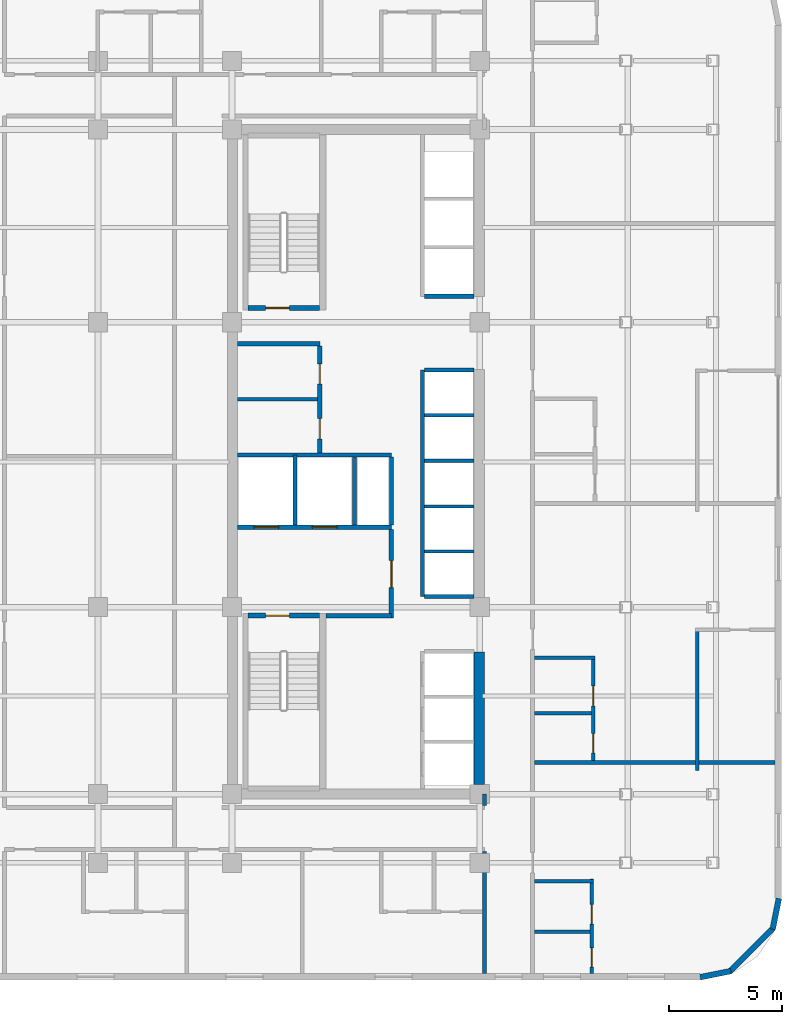
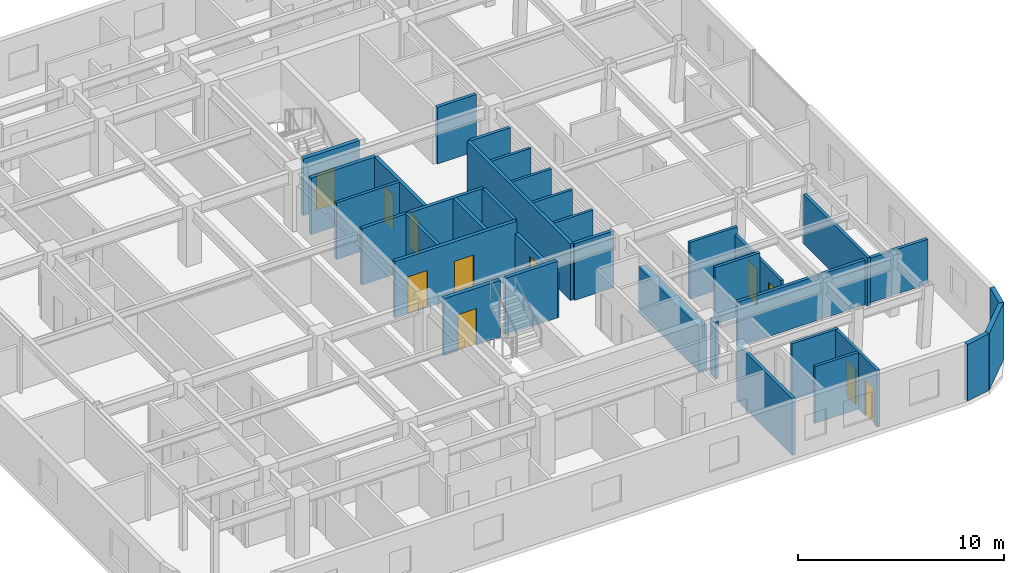
# One storey, part 9 of 13: 34 walls, 11 doors, 11 openings.
"""IFC4 building model written with IfcOpenShell, lengths in metres."""

from ifc_helpers import new_model, si_unit, direction, frame, frame_2d, origin, place, context, subcontext, project, spatial, rectangle, extrude, material, layer, layer_set, type_object, element, fill, save


model = new_model("IFC4")

# Units and contexts
model_context = context("Model", 3, precision=1e-05, world=origin(), true_north=direction((0.0, 1.0)))
body_context = subcontext(model_context, "Body", "Model", "MODEL_VIEW")
ifc_project = project(units=[si_unit("LENGTHUNIT", "METRE"), si_unit("AREAUNIT", "SQUARE_METRE"), si_unit("VOLUMEUNIT", "CUBIC_METRE"), si_unit("PLANEANGLEUNIT", "RADIAN"), si_unit("MASSUNIT", "GRAM", prefix="KILO")], contexts=[model_context])

# Site, building, storey
site_placement = place(None, origin())
site = spatial("IfcSite", under=ifc_project, at=site_placement, CompositionType="ELEMENT")
building_placement = place(site_placement, origin())
building = spatial("IfcBuilding", under=site, at=building_placement, Name="Ochreholt Gables", CompositionType="ELEMENT")
storey_placement = place(building_placement, frame((0.0, 0.0, 49.199951171875)))
storey = spatial("IfcBuildingStorey", under=building, at=storey_placement, Name="L12", CompositionType="ELEMENT", Elevation=49.199951171875)

# Walls
ifc_material_1 = material(Name="Concrete 60 MPa", Category="concrete")
ifc_layer_1 = layer(ifc_material_1, 0.449951171875, Name="Concrete 60 MPa")
ifc_layer_set_1 = layer_set([ifc_layer_1], Name="Concrete 60 MPa")
wall_type_1 = type_object("IfcWallType", Name="WALL-CSW-450", PredefinedType="SHEAR", material=ifc_layer_set_1)
wall_1_placement = place(storey_placement, frame((35.175048828125, 9.675048828125, 0.0), z_axis=(0.0, 0.0, 1.0), x_axis=(0.0, 1.0, 0.0)))
element("IfcWall", 1, at=wall_1_placement, inside=storey, type_object=wall_type_1, Name="L12 Core South-East Shear Wall", PredefinedType="SHEAR", context=body_context, shape_type="SweptSolid", body=[
    extrude(rectangle(XDim=5.875, YDim=0.449951171875, at=frame_2d((2.9375, 0.0))), origin(), (0.0, 0.0, 1.0), 2.6669921875),
])
ifc_material_2 = material(Name="Precast concrete 40 MPa", Category="concrete")
ifc_layer_2 = layer(ifc_material_2, 0.25, Name="Precast concrete 40 MPa")
ifc_layer_set_2 = layer_set([ifc_layer_2], Name="Precast concrete 40 MPa")
wall_type_2 = type_object("IfcWallType", Name="WALL-EXT-CNR", PredefinedType="SOLIDWALL", material=ifc_layer_set_2)
wall_2_placement = place(storey_placement, frame((44.9833984375, 1.124267578125, 0.0), z_axis=(0.0, 0.0, 1.0), x_axis=(0.980809899341, 0.19496651342, 0.0)))
element("IfcWall", 2, at=wall_2_placement, inside=storey, type_object=wall_type_2, Name="L12 Rounded Corner Wall SE-1", PredefinedType="SOLIDWALL", context=body_context, shape_type="SweptSolid", body=[
    extrude(rectangle(XDim=1.388671875, YDim=0.25, at=frame_2d((0.6943359375, 0.0))), origin(), (0.0, 0.0, 1.0), 3.360107421875),
])
wall_3_placement = place(storey_placement, frame((46.294921875, 1.367919921875, 0.0), z_axis=(0.0, 0.0, 1.0), x_axis=(0.707106781187, 0.707106781187, 0.0)))
element("IfcWall", 3, at=wall_3_placement, inside=storey, type_object=wall_type_2, Name="L12 Rounded Corner Wall SE-2", PredefinedType="SOLIDWALL", context=body_context, shape_type="SweptSolid", body=[
    extrude(rectangle(XDim=2.7392578125, YDim=0.25, at=frame_2d((1.36962890625, 0.0))), origin(), (0.0, 0.0, 1.0), 3.360107421875),
])
wall_4_placement = place(storey_placement, frame((48.205078125, 3.25439453125, 0.0), z_axis=(0.0, 0.0, 1.0), x_axis=(0.19496651342, 0.980809899341, 0.0)))
element("IfcWall", 4, at=wall_4_placement, inside=storey, type_object=wall_type_2, Name="L12 Rounded Corner Wall SE-3", PredefinedType="SOLIDWALL", context=body_context, shape_type="SweptSolid", body=[
    extrude(rectangle(XDim=1.388671875, YDim=0.25, at=frame_2d((0.6943359375, 0.0))), origin(), (0.0, 0.0, 1.0), 3.360107421875),
])

# Wall, openings, doors
ifc_material_3 = material(Name="Concrete 40 MPa", Category="concrete")
ifc_layer_3 = layer(ifc_material_3, 0.199951171875, Name="Concrete 40 MPa")
ifc_layer_set_3 = layer_set([ifc_layer_3], Name="Concrete 40 MPa")
wall_type_3 = type_object("IfcWallType", Name="WALL-INT-CF200", PredefinedType="STANDARD", material=ifc_layer_set_3)
wall_5_placement = place(storey_placement, frame((24.449951171875, 21.090087890625, 0.0), z_axis=(0.0, 0.0, 1.0), x_axis=(1.0, 0.0, 0.0)))
wall_5 = element("IfcWall", 5, at=wall_5_placement, inside=storey, type_object=wall_type_3, Name="L12 Interior Wall WI-FFN-L12", PredefinedType="STANDARD", context=body_context, shape_type="SweptSolid", body=[
    extrude(rectangle(XDim=6.830078125, YDim=0.199951171875, at=frame_2d((3.4150390625, 0.0))), origin(), (0.0, 0.0, 1.0), 3.360107421875),
])
opening_1_placement = place(wall_5_placement, frame((0.719970703125, 0.0, 0.0)))
opening_1 = element("IfcOpeningElement", 6, at=opening_1_placement, cuts=wall_5, Name="Opening LD-FF", PredefinedType="OPENING", context=body_context, shape_type="SweptSolid", body=[
    extrude(rectangle(XDim=1.10009765625, YDim=2.199951171875, at=frame_2d((0.550048828125, 1.10009765625))), frame((0.0, 0.10986328125, 0.0), z_axis=(0.0, -1.0, 0.0), x_axis=(1.0, 0.0, 0.0)), (0.0, 0.0, 1.0), 0.219970703125),
])
opening_2_placement = place(wall_5_placement, frame((3.320068359375, 0.0, 0.0)))
opening_2 = element("IfcOpeningElement", 7, at=opening_2_placement, cuts=wall_5, Name="Opening LD-FF", PredefinedType="OPENING", context=body_context, shape_type="SweptSolid", body=[
    extrude(rectangle(XDim=1.10009765625, YDim=2.199951171875, at=frame_2d((0.550048828125, 1.10009765625))), frame((0.0, 0.10986328125, 0.0), z_axis=(0.0, -1.0, 0.0), x_axis=(1.0, 0.0, 0.0)), (0.0, 0.0, 1.0), 0.219970703125),
])
ifc_material_4 = material(Name="Stainless Steel", Category="steel")
door_type_1 = type_object("IfcDoorType", Name="DR-LFT-FF1100", OperationType="NOTDEFINED", PredefinedType="DOOR", material=ifc_material_4)
door_1_placement = place(opening_1_placement, origin())
door_1 = element("IfcDoor", 8, at=door_1_placement, inside=storey, type_object=door_type_1, Name="L12 Door LD-FF1-L12", OperationType="SLIDING_TO_LEFT", OverallHeight=2.199951171875, OverallWidth=1.10009765625, PredefinedType="DOOR", context=body_context, shape_type="SweptSolid", body=[
    extrude(rectangle(XDim=1.10009765625, YDim=2.199951171875, at=frame_2d((0.550048828125, 1.10009765625))), frame((0.0, 0.02490234375, 0.0), z_axis=(0.0, -1.0, 0.0), x_axis=(1.0, 0.0, 0.0)), (0.0, 0.0, 1.0), 0.050048828125),
])
fill(opening_1, door_1)
door_2_placement = place(opening_2_placement, origin())
door_2 = element("IfcDoor", 9, at=door_2_placement, inside=storey, type_object=door_type_1, Name="L12 Door LD-FF2-L12", OperationType="SLIDING_TO_LEFT", OverallHeight=2.199951171875, OverallWidth=1.10009765625, PredefinedType="DOOR", context=body_context, shape_type="SweptSolid", body=[
    extrude(rectangle(XDim=1.10009765625, YDim=2.199951171875, at=frame_2d((0.550048828125, 1.10009765625))), frame((0.0, 0.02490234375, 0.0), z_axis=(0.0, -1.0, 0.0), x_axis=(1.0, 0.0, 0.0)), (0.0, 0.0, 1.0), 0.050048828125),
])
fill(opening_2, door_2)

# Wall
wall_6_placement = place(storey_placement, frame((28.3798828125, 17.169921875, 0.0), z_axis=(0.0, 0.0, 1.0), x_axis=(1.0, 0.0, 0.0)))
element("IfcWall", 10, at=wall_6_placement, inside=storey, type_object=wall_type_3, Name="L12 Interior Wall WI-FFS-L12", PredefinedType="STANDARD", context=body_context, shape_type="SweptSolid", body=[
    extrude(rectangle(XDim=2.900146484375, YDim=0.199951171875, at=frame_2d((1.4501953125, 0.0))), origin(), (0.0, 0.0, 1.0), 3.360107421875),
])

# Wall, opening, door
wall_7_placement = place(storey_placement, frame((31.280029296875, 17.070068359375, 0.0), z_axis=(0.0, 0.0, 1.0), x_axis=(0.0, 1.0, 0.0)))
wall_7 = element("IfcWall", 11, at=wall_7_placement, inside=storey, type_object=wall_type_3, Name="L12 Interior Wall WI-FFE-L12", PredefinedType="STANDARD", context=body_context, shape_type="SweptSolid", body=[
    extrude(rectangle(XDim=3.919921875, YDim=0.199951171875, at=frame_2d((1.9599609375, 0.0))), origin(), (0.0, 0.0, 1.0), 2.649169921875),
])
opening_3_placement = place(wall_7_placement, frame((1.35009765625, 0.0, 0.0)))
opening_3 = element("IfcOpeningElement", 12, at=opening_3_placement, cuts=wall_7, Name="Opening D-FFL", PredefinedType="OPENING", context=body_context, shape_type="SweptSolid", body=[
    extrude(rectangle(XDim=1.199951171875, YDim=2.14990234375, at=frame_2d((0.60009765625, 1.074951171875))), frame((0.0, 0.10986328125, 0.0), z_axis=(0.0, -1.0, 0.0), x_axis=(1.0, 0.0, 0.0)), (0.0, 0.0, 1.0), 0.219970703125),
])
ifc_material_5 = material(Name="Hollow Metal Steel", Category="steel")
door_type_2 = type_object("IfcDoorType", Name="DR-INT-FFL1200", OperationType="NOTDEFINED", PredefinedType="DOOR", material=ifc_material_5)
door_3_placement = place(opening_3_placement, origin())
door_3 = element("IfcDoor", 13, at=door_3_placement, inside=storey, type_object=door_type_2, Name="L12 Door D-FFL-L12", OperationType="SINGLE_SWING_LEFT", OverallHeight=2.14990234375, OverallWidth=1.199951171875, PredefinedType="DOOR", context=body_context, shape_type="SweptSolid", body=[
    extrude(rectangle(XDim=1.199951171875, YDim=2.14990234375, at=frame_2d((0.60009765625, 1.074951171875))), frame((0.0, 0.02490234375, 0.0), z_axis=(0.0, -1.0, 0.0), x_axis=(1.0, 0.0, 0.0)), (0.0, 0.0, 1.0), 0.050048828125),
])
fill(opening_3, door_3)

# Wall
wall_8_placement = place(storey_placement, frame((24.449951171875, 29.239990234375, 0.0), z_axis=(0.0, 0.0, 1.0), x_axis=(1.0, 0.0, 0.0)))
element("IfcWall", 14, at=wall_8_placement, inside=storey, type_object=wall_type_3, Name="L12 Interior Wall WI-SRVN-L12", PredefinedType="STANDARD", context=body_context, shape_type="SweptSolid", body=[
    extrude(rectangle(XDim=3.650146484375, YDim=0.199951171875, at=frame_2d((1.8251953125, 0.0))), origin(), (0.0, 0.0, 1.0), 3.360107421875),
])

# Wall, openings, doors
wall_9_placement = place(storey_placement, frame((28.10009765625, 24.389892578125, 0.0), z_axis=(0.0, 0.0, 1.0), x_axis=(0.0, 1.0, 0.0)))
wall_9 = element("IfcWall", 15, at=wall_9_placement, inside=storey, type_object=wall_type_3, Name="L12 Interior Wall WI-SRVE-L12", PredefinedType="STANDARD", context=body_context, shape_type="SweptSolid", body=[
    extrude(rectangle(XDim=4.75, YDim=0.199951171875, at=frame_2d((2.375, 0.0))), origin(), (0.0, 0.0, 1.0), 3.360107421875),
])
opening_4_placement = place(wall_9_placement, frame((0.6298828125, 0.0, 0.0)))
opening_4 = element("IfcOpeningElement", 16, at=opening_4_placement, cuts=wall_9, Name="Opening D-SV1", PredefinedType="OPENING", context=body_context, shape_type="SweptSolid", body=[
    extrude(rectangle(XDim=0.89990234375, YDim=2.10009765625, at=frame_2d((0.449951171875, 1.050048828125))), frame((0.0, 0.10986328125, 0.0), z_axis=(0.0, -1.0, 0.0), x_axis=(1.0, 0.0, 0.0)), (0.0, 0.0, 1.0), 0.219970703125),
])
opening_5_placement = place(wall_9_placement, frame((3.06005859375, 0.0, 0.0)))
opening_5 = element("IfcOpeningElement", 17, at=opening_5_placement, cuts=wall_9, Name="Opening D-SV1", PredefinedType="OPENING", context=body_context, shape_type="SweptSolid", body=[
    extrude(rectangle(XDim=0.89990234375, YDim=2.10009765625, at=frame_2d((0.449951171875, 1.050048828125))), frame((0.0, 0.10986328125, 0.0), z_axis=(0.0, -1.0, 0.0), x_axis=(1.0, 0.0, 0.0)), (0.0, 0.0, 1.0), 0.219970703125),
])
door_type_3 = type_object("IfcDoorType", Name="DR-INT-SRV900", OperationType="NOTDEFINED", PredefinedType="DOOR", material=ifc_material_5)
door_4_placement = place(opening_4_placement, origin())
door_4 = element("IfcDoor", 18, at=door_4_placement, inside=storey, type_object=door_type_3, Name="L12 Door D-SRV1-L12", OperationType="SINGLE_SWING_LEFT", OverallHeight=2.10009765625, OverallWidth=0.89990234375, PredefinedType="DOOR", context=body_context, shape_type="SweptSolid", body=[
    extrude(rectangle(XDim=0.89990234375, YDim=2.10009765625, at=frame_2d((0.449951171875, 1.050048828125))), frame((0.0, 0.02490234375, 0.0), z_axis=(0.0, -1.0, 0.0), x_axis=(1.0, 0.0, 0.0)), (0.0, 0.0, 1.0), 0.050048828125),
])
fill(opening_4, door_4)
door_5_placement = place(opening_5_placement, origin())
door_5 = element("IfcDoor", 19, at=door_5_placement, inside=storey, type_object=door_type_3, Name="L12 Door D-SRV2-L12", OperationType="SINGLE_SWING_RIGHT", OverallHeight=2.10009765625, OverallWidth=0.89990234375, PredefinedType="DOOR", context=body_context, shape_type="SweptSolid", body=[
    extrude(rectangle(XDim=0.89990234375, YDim=2.10009765625, at=frame_2d((0.449951171875, 1.050048828125))), frame((0.0, 0.02490234375, 0.0), z_axis=(0.0, -1.0, 0.0), x_axis=(1.0, 0.0, 0.0)), (0.0, 0.0, 1.0), 0.050048828125),
])
fill(opening_5, door_5)

# Walls
ifc_material_6 = material(Name="Fire-Rated Gypsum Acoustic Partition", Category="gypsum")
ifc_layer_4 = layer(ifc_material_6, 0.179931640625, Name="Fire-Rated Gypsum Acoustic Partition")
ifc_layer_set_4 = layer_set([ifc_layer_4], Name="Fire-Rated Gypsum Acoustic Partition")
wall_type_4 = type_object("IfcWallType", Name="WALL-INT-CR180", PredefinedType="STANDARD", material=ifc_layer_set_4)
wall_10_placement = place(storey_placement, frame((35.419921875, 8.739990234375, 0.0), z_axis=(0.0, 0.0, 1.0), x_axis=(0.0, 1.0, 0.0)))
element("IfcWall", 20, at=wall_10_placement, inside=storey, type_object=wall_type_4, Name="L12 Interior Wall WI-C1ESW2-L12", PredefinedType="STANDARD", context=body_context, shape_type="SweptSolid", body=[
    extrude(rectangle(XDim=0.510009765625, YDim=0.179931640625, at=frame_2d((0.2548828125, 0.0))), origin(), (0.0, 0.0, 1.0), 3.360107421875),
])
ifc_material_7 = material(Name="Double-Stud Acoustic Demising Wall", Category="gypsum")
ifc_layer_5 = layer(ifc_material_7, 0.179931640625, Name="Double-Stud Acoustic Demising Wall")
ifc_layer_set_5 = layer_set([ifc_layer_5], Name="Double-Stud Acoustic Demising Wall")
wall_type_5 = type_object("IfcWallType", Name="WALL-INT-DM180", PredefinedType="PARTITIONING", material=ifc_layer_set_5)
wall_11_placement = place(storey_placement, frame((35.419921875, 1.2900390625, 0.0), z_axis=(0.0, 0.0, 1.0), x_axis=(0.0, 1.0, 0.0)))
element("IfcWall", 21, at=wall_11_placement, inside=storey, type_object=wall_type_5, Name="L12 Interior Wall WI-C1ESW-L12", PredefinedType="PARTITIONING", context=body_context, shape_type="SweptSolid", body=[
    extrude(rectangle(XDim=5.419921875, YDim=0.179931640625, at=frame_2d((2.7099609375, 0.0))), origin(), (0.0, 0.0, 1.0), 3.360107421875),
])
wall_12_placement = place(storey_placement, frame((37.639892578125, 10.659912109375, 0.0), z_axis=(0.0, 0.0, 1.0), x_axis=(1.0, 0.0, 0.0)))
element("IfcWall", 22, at=wall_12_placement, inside=storey, type_object=wall_type_5, Name="L12 Interior Wall WI-UDE2-L12", PredefinedType="PARTITIONING", context=body_context, shape_type="SweptSolid", body=[
    extrude(rectangle(XDim=10.670166015625, YDim=0.179931640625, at=frame_2d((5.3349609375, 0.0))), origin(), (0.0, 0.0, 1.0), 2.649169921875),
])
ifc_material_8 = material(Name="Moisture-Resistant Plumbing Chase Wall", Category="gypsum")
ifc_layer_6 = layer(ifc_material_8, 0.159912109375, Name="Moisture-Resistant Plumbing Chase Wall")
ifc_layer_set_6 = layer_set([ifc_layer_6], Name="Moisture-Resistant Plumbing Chase Wall")
wall_type_6 = type_object("IfcWallType", Name="WALL-INT-PL160", PredefinedType="PLUMBINGWALL", material=ifc_layer_set_6)
wall_13_placement = place(storey_placement, frame((37.639892578125, 5.389892578125, 0.0), z_axis=(0.0, 0.0, 1.0), x_axis=(1.0, 0.0, 0.0)))
element("IfcWall", 23, at=wall_13_placement, inside=storey, type_object=wall_type_6, Name="L12 Interior Wall WU-L12E1-WYN", PredefinedType="PLUMBINGWALL", context=body_context, shape_type="SweptSolid", body=[
    extrude(rectangle(XDim=2.606201171875, YDim=0.159912109375, at=frame_2d((1.30322265625, 0.0))), origin(), (0.0, 0.0, 1.0), 3.360107421875),
])

# Wall, openings, doors
wall_14_placement = place(storey_placement, frame((40.166015625, 1.2900390625, 0.0), z_axis=(0.0, 0.0, 1.0), x_axis=(0.0, 1.0, 0.0)))
wall_14 = element("IfcWall", 24, at=wall_14_placement, inside=storey, type_object=wall_type_6, Name="L12 Interior Wall WU-L12E1-WX", PredefinedType="PLUMBINGWALL", context=body_context, shape_type="SweptSolid", body=[
    extrude(rectangle(XDim=4.18994140625, YDim=0.159912109375, at=frame_2d((2.094970703125, 0.0))), origin(), (0.0, 0.0, 1.0), 3.360107421875),
])
opening_6_placement = place(wall_14_placement, frame((0.280029296875, 0.0, 0.0)))
opening_6 = element("IfcOpeningElement", 25, at=opening_6_placement, cuts=wall_14, Name="Opening D-BT1", PredefinedType="OPENING", context=body_context, shape_type="SweptSolid", body=[
    extrude(rectangle(XDim=0.860107421875, YDim=2.1201171875, at=frame_2d((0.43017578125, 1.06005859375))), frame((0.0, 0.08984375, 0.0), z_axis=(0.0, -1.0, 0.0), x_axis=(1.0, 0.0, 0.0)), (0.0, 0.0, 1.0), 0.179931640625),
])
opening_7_placement = place(wall_14_placement, frame((2.18896484375, 0.0, 0.0)))
opening_7 = element("IfcOpeningElement", 26, at=opening_7_placement, cuts=wall_14, Name="Opening D-GN2", PredefinedType="OPENING", context=body_context, shape_type="SweptSolid", body=[
    extrude(rectangle(XDim=0.8798828125, YDim=2.1201171875, at=frame_2d((0.43994140625, 1.06005859375))), frame((0.0, 0.08984375, 0.0), z_axis=(0.0, -1.0, 0.0), x_axis=(1.0, 0.0, 0.0)), (0.0, 0.0, 1.0), 0.179931640625),
])
ifc_material_9 = material(Name="Engineered Oak Timber", Category="wood")
door_type_4 = type_object("IfcDoorType", Name="DR-INT-BTH860", OperationType="NOTDEFINED", PredefinedType="DOOR", material=ifc_material_9)
door_6_placement = place(opening_6_placement, origin())
door_6 = element("IfcDoor", 27, at=door_6_placement, inside=storey, type_object=door_type_4, Name="L12 Door D-U-L12E1-BTH", OperationType="SINGLE_SWING_LEFT", OverallHeight=2.1201171875, OverallWidth=0.860107421875, PredefinedType="DOOR", context=body_context, shape_type="SweptSolid", body=[
    extrude(rectangle(XDim=0.860107421875, YDim=2.1201171875, at=frame_2d((0.43017578125, 1.06005859375))), frame((0.0, 0.02490234375, 0.0), z_axis=(0.0, -1.0, 0.0), x_axis=(1.0, 0.0, 0.0)), (0.0, 0.0, 1.0), 0.050048828125),
])
fill(opening_6, door_6)
door_type_5 = type_object("IfcDoorType", Name="DR-INT-GEN880", OperationType="NOTDEFINED", PredefinedType="DOOR", material=ifc_material_9)
door_7_placement = place(opening_7_placement, origin())
door_7 = element("IfcDoor", 28, at=door_7_placement, inside=storey, type_object=door_type_5, Name="L12 Door D-U-L12E1-KIT", OperationType="SINGLE_SWING_RIGHT", OverallHeight=2.1201171875, OverallWidth=0.8798828125, PredefinedType="DOOR", context=body_context, shape_type="SweptSolid", body=[
    extrude(rectangle(XDim=0.8798828125, YDim=2.1201171875, at=frame_2d((0.43994140625, 1.06005859375))), frame((0.0, 0.02490234375, 0.0), z_axis=(0.0, -1.0, 0.0), x_axis=(1.0, 0.0, 0.0)), (0.0, 0.0, 1.0), 0.050048828125),
])
fill(opening_7, door_7)

# Walls
wall_15_placement = place(storey_placement, frame((37.639892578125, 3.14892578125, 0.0), z_axis=(0.0, 0.0, 1.0), x_axis=(1.0, 0.0, 0.0)))
element("IfcWall", 29, at=wall_15_placement, inside=storey, type_object=wall_type_6, Name="L12 Interior Wall WU-L12E1-WM", PredefinedType="PLUMBINGWALL", context=body_context, shape_type="SweptSolid", body=[
    extrude(rectangle(XDim=2.446044921875, YDim=0.159912109375, at=frame_2d((1.22314453125, 0.0))), origin(), (0.0, 0.0, 1.0), 3.360107421875),
])
wall_16_placement = place(storey_placement, frame((37.639892578125, 15.300048828125, 0.0), z_axis=(0.0, 0.0, 1.0), x_axis=(1.0, 0.0, 0.0)))
element("IfcWall", 30, at=wall_16_placement, inside=storey, type_object=wall_type_6, Name="L12 Interior Wall WU-L12E2-WYN", PredefinedType="PLUMBINGWALL", context=body_context, shape_type="SweptSolid", body=[
    extrude(rectangle(XDim=2.68212890625, YDim=0.159912109375, at=frame_2d((1.341064453125, 0.0))), origin(), (0.0, 0.0, 1.0), 3.360107421875),
])

# Wall, openings, doors
wall_17_placement = place(storey_placement, frame((40.241943359375, 10.75, 0.0), z_axis=(0.0, 0.0, 1.0), x_axis=(0.0, 1.0, 0.0)))
wall_17 = element("IfcWall", 31, at=wall_17_placement, inside=storey, type_object=wall_type_6, Name="L12 Interior Wall WU-L12E2-WX", PredefinedType="PLUMBINGWALL", context=body_context, shape_type="SweptSolid", body=[
    extrude(rectangle(XDim=4.639892578125, YDim=0.159912109375, at=frame_2d((2.31982421875, 0.0))), origin(), (0.0, 0.0, 1.0), 2.93212890625),
])
opening_8_placement = place(wall_17_placement, frame((0.330078125, 0.0, 0.0)))
opening_8 = element("IfcOpeningElement", 32, at=opening_8_placement, cuts=wall_17, Name="Opening D-BT1", PredefinedType="OPENING", context=body_context, shape_type="SweptSolid", body=[
    extrude(rectangle(XDim=0.860107421875, YDim=2.1201171875, at=frame_2d((0.43017578125, 1.06005859375))), frame((0.0, 0.08984375, 0.0), z_axis=(0.0, -1.0, 0.0), x_axis=(1.0, 0.0, 0.0)), (0.0, 0.0, 1.0), 0.179931640625),
])
opening_9_placement = place(wall_17_placement, frame((2.423095703125, 0.0, 0.0)))
opening_9 = element("IfcOpeningElement", 33, at=opening_9_placement, cuts=wall_17, Name="Opening D-GN2", PredefinedType="OPENING", context=body_context, shape_type="SweptSolid", body=[
    extrude(rectangle(XDim=0.8798828125, YDim=2.1201171875, at=frame_2d((0.43994140625, 1.06005859375))), frame((0.0, 0.08984375, 0.0), z_axis=(0.0, -1.0, 0.0), x_axis=(1.0, 0.0, 0.0)), (0.0, 0.0, 1.0), 0.179931640625),
])
door_8_placement = place(opening_8_placement, origin())
door_8 = element("IfcDoor", 34, at=door_8_placement, inside=storey, type_object=door_type_4, Name="L12 Door D-U-L12E2-BTH", OperationType="SINGLE_SWING_RIGHT", OverallHeight=2.1201171875, OverallWidth=0.860107421875, PredefinedType="DOOR", context=body_context, shape_type="SweptSolid", body=[
    extrude(rectangle(XDim=0.860107421875, YDim=2.1201171875, at=frame_2d((0.43017578125, 1.06005859375))), frame((0.0, 0.02490234375, 0.0), z_axis=(0.0, -1.0, 0.0), x_axis=(1.0, 0.0, 0.0)), (0.0, 0.0, 1.0), 0.050048828125),
])
fill(opening_8, door_8)
door_9_placement = place(opening_9_placement, origin())
door_9 = element("IfcDoor", 35, at=door_9_placement, inside=storey, type_object=door_type_5, Name="L12 Door D-U-L12E2-KIT", OperationType="SINGLE_SWING_LEFT", OverallHeight=2.1201171875, OverallWidth=0.8798828125, PredefinedType="DOOR", context=body_context, shape_type="SweptSolid", body=[
    extrude(rectangle(XDim=0.8798828125, YDim=2.1201171875, at=frame_2d((0.43994140625, 1.06005859375))), frame((0.0, 0.02490234375, 0.0), z_axis=(0.0, -1.0, 0.0), x_axis=(1.0, 0.0, 0.0)), (0.0, 0.0, 1.0), 0.050048828125),
])
fill(opening_9, door_9)

# Walls
wall_18_placement = place(storey_placement, frame((37.639892578125, 12.843017578125, 0.0), z_axis=(0.0, 0.0, 1.0), x_axis=(1.0, 0.0, 0.0)))
element("IfcWall", 36, at=wall_18_placement, inside=storey, type_object=wall_type_6, Name="L12 Interior Wall WU-L12E2-WM", PredefinedType="PLUMBINGWALL", context=body_context, shape_type="SweptSolid", body=[
    extrude(rectangle(XDim=2.522216796875, YDim=0.159912109375, at=frame_2d((1.26123046875, 0.0))), origin(), (0.0, 0.0, 1.0), 3.360107421875),
])
ifc_material_10 = material(Name="Gypsum Acoustic Stud Partition", Category="gypsum")
ifc_layer_7 = layer(ifc_material_10, 0.159912109375, Name="Gypsum Acoustic Stud Partition")
ifc_layer_set_7 = layer_set([ifc_layer_7], Name="Gypsum Acoustic Stud Partition")
wall_type_7 = type_object("IfcWallType", Name="WALL-INT-PT160", PredefinedType="PARTITIONING", material=ifc_layer_set_7)
wall_19_placement = place(storey_placement, frame((24.449951171875, 26.780029296875, 0.0), z_axis=(0.0, 0.0, 1.0), x_axis=(1.0, 0.0, 0.0)))
element("IfcWall", 37, at=wall_19_placement, inside=storey, type_object=wall_type_7, Name="L12 Interior Wall WI-SRVP1-L12", PredefinedType="PARTITIONING", context=body_context, shape_type="SweptSolid", body=[
    extrude(rectangle(XDim=3.550048828125, YDim=0.159912109375, at=frame_2d((1.77490234375, 0.0))), origin(), (0.0, 0.0, 1.0), 3.360107421875),
])
wall_20_placement = place(storey_placement, frame((44.85009765625, 10.300048828125, 0.0), z_axis=(0.0, 0.0, 1.0), x_axis=(0.0, 1.0, 0.0)))
element("IfcWall", 38, at=wall_20_placement, inside=storey, type_object=wall_type_7, Name="L12 Interior Wall WU-L12E2-STW", PredefinedType="PARTITIONING", context=body_context, shape_type="SweptSolid", body=[
    extrude(rectangle(XDim=6.25, YDim=0.159912109375, at=frame_2d((3.125, 0.0))), origin(), (0.0, 0.0, 1.0), 2.93212890625),
])
ifc_material_11 = material(Name="Gypsum Shaftliner and Steel Stud", Category="steel")
ifc_layer_8 = layer(ifc_material_11, 0.14990234375, Name="Gypsum Shaftliner and Steel Stud")
ifc_layer_set_8 = layer_set([ifc_layer_8], Name="Gypsum Shaftliner and Steel Stud")
wall_type_8 = type_object("IfcWallType", Name="WALL-INT-SH150", PredefinedType="STANDARD", material=ifc_layer_set_8)
for number, where, z_axis, x_axis, name in (
    (39, (32.739990234375, 20.02001953125, 0.0), (0.0, 0.0, 1.0), (1.0, 0.0, 0.0), "L12 Interior Wall WI-LFHE-DH1-L12"),
    (40, (32.739990234375, 22.02001953125, 0.0), (0.0, 0.0, 1.0), (1.0, 0.0, 0.0), "L12 Interior Wall WI-LFHE-DH2-L12"),
    (41, (32.739990234375, 24.050048828125, 0.0), (0.0, 0.0, 1.0), (1.0, 0.0, 0.0), "L12 Interior Wall WI-LFHE-DHE-L12"),
    (42, (32.739990234375, 26.070068359375, 0.0), (0.0, 0.0, 1.0), (1.0, 0.0, 0.0), "L12 Interior Wall WI-LFHE-DEX1-L12"),
):
    element("IfcWall", number, at=place(storey_placement, frame(where, z_axis=z_axis, x_axis=x_axis)), inside=storey, type_object=wall_type_8, Name=name, PredefinedType="STANDARD", context=body_context, shape_type="SweptSolid", body=[
        extrude(rectangle(XDim=2.2099609375, YDim=0.14990234375, at=frame_2d((1.10498046875, 0.0))), origin(), (0.0, 0.0, 1.0), 3.360107421875),
    ])
ifc_layer_9 = layer(ifc_material_11, 0.179931640625, Name="Gypsum Shaftliner and Steel Stud")
ifc_layer_set_9 = layer_set([ifc_layer_9], Name="Gypsum Shaftliner and Steel Stud")
wall_type_9 = type_object("IfcWallType", Name="WALL-INT-SH180", PredefinedType="STANDARD", material=ifc_layer_set_9)
wall_21_placement = place(storey_placement, frame((27.0, 21.18994140625, 0.0), z_axis=(0.0, 0.0, 1.0), x_axis=(0.0, 1.0, 0.0)))
element("IfcWall", 43, at=wall_21_placement, inside=storey, type_object=wall_type_9, Name="L12 Interior Wall WI-FFDIV-L12", PredefinedType="STANDARD", context=body_context, shape_type="SweptSolid", body=[
    extrude(rectangle(XDim=3.110107421875, YDim=0.179931640625, at=frame_2d((1.55517578125, 0.0))), origin(), (0.0, 0.0, 1.0), 3.360107421875),
])
wall_22_placement = place(storey_placement, frame((24.449951171875, 24.300048828125, 0.0), z_axis=(0.0, 0.0, 1.0), x_axis=(1.0, 0.0, 0.0)))
element("IfcWall", 44, at=wall_22_placement, inside=storey, type_object=wall_type_9, Name="L12 Interior Wall WI-FFBK-L12", PredefinedType="STANDARD", context=body_context, shape_type="SweptSolid", body=[
    extrude(rectangle(XDim=6.830078125, YDim=0.179931640625, at=frame_2d((3.4150390625, 0.0))), origin(), (0.0, 0.0, 1.0), 3.360107421875),
])
for number, where, z_axis, x_axis, name in (
    (45, (29.64990234375, 21.18994140625, 0.0), (0.0, 0.0, 1.0), (0.0, 1.0, 0.0), "L12 Interior Wall WI-FFSH-L12"),
    (46, (31.280029296875, 21.18994140625, 0.0), (0.0, 0.0, 1.0), (0.0, 1.0, 0.0), "L12 Interior Wall WI-RSE-L12"),
):
    element("IfcWall", number, at=place(storey_placement, frame(where, z_axis=z_axis, x_axis=x_axis)), inside=storey, type_object=wall_type_9, Name=name, PredefinedType="STANDARD", context=body_context, shape_type="SweptSolid", body=[
        extrude(rectangle(XDim=3.02001953125, YDim=0.179931640625, at=frame_2d((1.510009765625, 0.0))), origin(), (0.0, 0.0, 1.0), 3.360107421875),
    ])
wall_23_placement = place(storey_placement, frame((32.64990234375, 18.02001953125, 0.0), z_axis=(0.0, 0.0, 1.0), x_axis=(0.0, 1.0, 0.0)))
element("IfcWall", 47, at=wall_23_placement, inside=storey, type_object=wall_type_9, Name="L12 Interior Wall WI-LFHE-FR-L12", PredefinedType="STANDARD", context=body_context, shape_type="SweptSolid", body=[
    extrude(rectangle(XDim=10.06005859375, YDim=0.179931640625, at=frame_2d((5.030029296875, 0.0))), origin(), (0.0, 0.0, 1.0), 3.360107421875),
])
for number, where, z_axis, x_axis, name in (
    (48, (32.739990234375, 18.02001953125, 0.0), (0.0, 0.0, 1.0), (1.0, 0.0, 0.0), "L12 Interior Wall WI-LFHE-S-L12"),
    (49, (32.739990234375, 28.080078125, 0.0), (0.0, 0.0, 1.0), (1.0, 0.0, 0.0), "L12 Interior Wall WI-LFHE-N-L12"),
    (50, (32.739990234375, 31.35009765625, 0.0), (0.0, 0.0, 1.0), (1.0, 0.0, 0.0), "L12 Interior Wall WI-LFM-S-L12"),
):
    element("IfcWall", number, at=place(storey_placement, frame(where, z_axis=z_axis, x_axis=x_axis)), inside=storey, type_object=wall_type_9, Name=name, PredefinedType="STANDARD", context=body_context, shape_type="SweptSolid", body=[
        extrude(rectangle(XDim=2.2099609375, YDim=0.179931640625, at=frame_2d((1.10498046875, 0.0))), origin(), (0.0, 0.0, 1.0), 3.360107421875),
    ])

# Wall, opening, door
ifc_material_12 = material(Name="Concrete 50 MPa", Category="concrete")
ifc_layer_10 = layer(ifc_material_12, 0.219970703125, Name="Concrete 50 MPa")
ifc_layer_set_10 = layer_set([ifc_layer_10], Name="Concrete 50 MPa")
wall_type_10 = type_object("IfcWallType", Name="WALL-STW-220", PredefinedType="SHEAR", material=ifc_layer_set_10)
wall_24_placement = place(storey_placement, frame((24.919921875, 17.169921875, 0.0), z_axis=(0.0, 0.0, 1.0), x_axis=(1.0, 0.0, 0.0)))
wall_24 = element("IfcWall", 51, at=wall_24_placement, inside=storey, type_object=wall_type_10, Name="L12 Exit Stair 1 North Wall", PredefinedType="SHEAR", context=body_context, shape_type="SweptSolid", body=[
    extrude(rectangle(XDim=3.16015625, YDim=0.219970703125, at=frame_2d((1.580078125, 0.0))), origin(), (0.0, 0.0, 1.0), 3.360107421875),
])
opening_10_placement = place(wall_24_placement, frame((0.780029296875, 0.0, 0.0)))
opening_10 = element("IfcOpeningElement", 52, at=opening_10_placement, cuts=wall_24, Name="Opening D-STC", PredefinedType="OPENING", context=body_context, shape_type="SweptSolid", body=[
    extrude(rectangle(XDim=1.050048828125, YDim=2.14990234375, at=frame_2d((0.52490234375, 1.074951171875))), frame((0.0, 0.119873046875, 0.0), z_axis=(0.0, -1.0, 0.0), x_axis=(1.0, 0.0, 0.0)), (0.0, 0.0, 1.0), 0.239990234375),
])
door_type_6 = type_object("IfcDoorType", Name="DR-INT-ST1050", OperationType="NOTDEFINED", PredefinedType="DOOR", material=ifc_material_5)
door_10_placement = place(opening_10_placement, frame((1.050048828125, 0.0, 0.0), z_axis=(0.0, 0.0, 1.0), x_axis=(-1.0, 0.0, 0.0)))
door_10 = element("IfcDoor", 53, at=door_10_placement, inside=storey, type_object=door_type_6, Name="L12 Door D-ST1-L12", OperationType="SINGLE_SWING_LEFT", OverallHeight=2.14990234375, OverallWidth=1.050048828125, PredefinedType="DOOR", context=body_context, shape_type="SweptSolid", body=[
    extrude(rectangle(XDim=1.050048828125, YDim=2.14990234375, at=frame_2d((0.52490234375, 1.074951171875))), frame((0.0, 0.02490234375, 0.0), z_axis=(0.0, -1.0, 0.0), x_axis=(1.0, 0.0, 0.0)), (0.0, 0.0, 1.0), 0.050048828125),
])
fill(opening_10, door_10)

wall_25_placement = place(storey_placement, frame((24.919921875, 30.830078125, 0.0), z_axis=(0.0, 0.0, 1.0), x_axis=(1.0, 0.0, 0.0)))
wall_25 = element("IfcWall", 54, at=wall_25_placement, inside=storey, type_object=wall_type_10, Name="L12 Exit Stair 2 South Wall", PredefinedType="SHEAR", context=body_context, shape_type="SweptSolid", body=[
    extrude(rectangle(XDim=3.16015625, YDim=0.219970703125, at=frame_2d((1.580078125, 0.0))), origin(), (0.0, 0.0, 1.0), 3.360107421875),
])
opening_11_placement = place(wall_25_placement, frame((0.780029296875, 0.0, 0.0)))
opening_11 = element("IfcOpeningElement", 55, at=opening_11_placement, cuts=wall_25, Name="Opening D-STC", PredefinedType="OPENING", context=body_context, shape_type="SweptSolid", body=[
    extrude(rectangle(XDim=1.050048828125, YDim=2.14990234375, at=frame_2d((0.52490234375, 1.074951171875))), frame((0.0, 0.119873046875, 0.0), z_axis=(0.0, -1.0, 0.0), x_axis=(1.0, 0.0, 0.0)), (0.0, 0.0, 1.0), 0.239990234375),
])
door_11_placement = place(opening_11_placement, origin())
door_11 = element("IfcDoor", 56, at=door_11_placement, inside=storey, type_object=door_type_6, Name="L12 Door D-ST2-L12", OperationType="SINGLE_SWING_RIGHT", OverallHeight=2.14990234375, OverallWidth=1.050048828125, PredefinedType="DOOR", context=body_context, shape_type="SweptSolid", body=[
    extrude(rectangle(XDim=1.050048828125, YDim=2.14990234375, at=frame_2d((0.52490234375, 1.074951171875))), frame((0.0, 0.02490234375, 0.0), z_axis=(0.0, -1.0, 0.0), x_axis=(1.0, 0.0, 0.0)), (0.0, 0.0, 1.0), 0.050048828125),
])
fill(opening_11, door_11)

save(model, "model.ifc")
